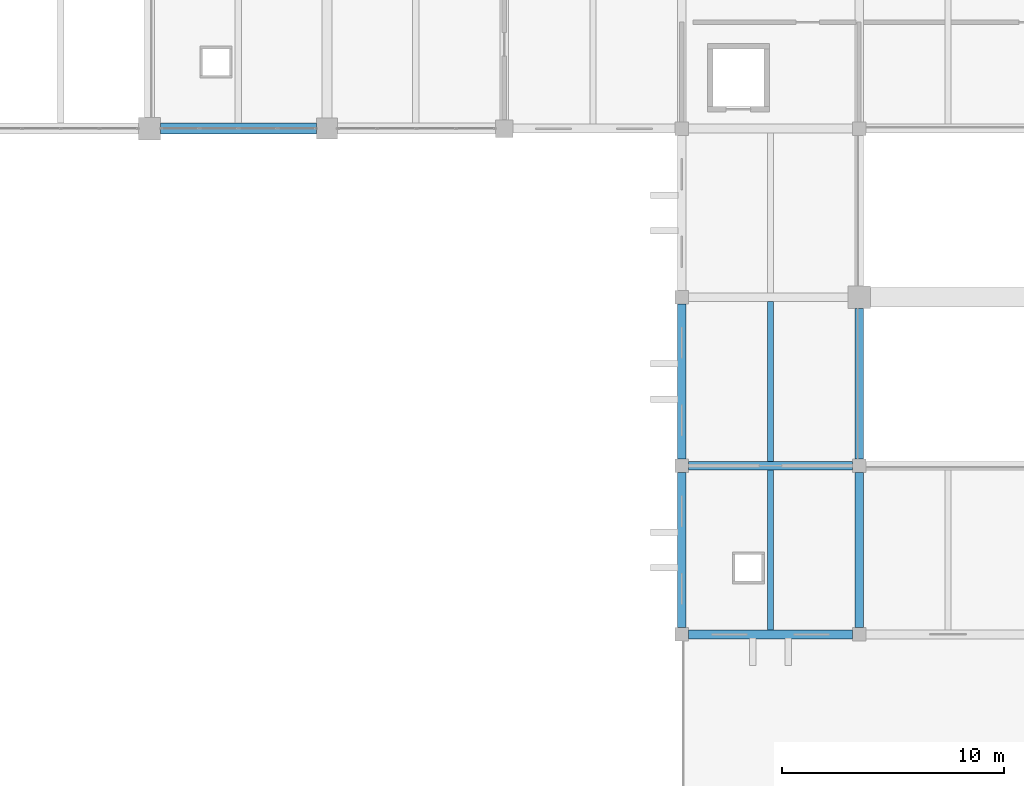
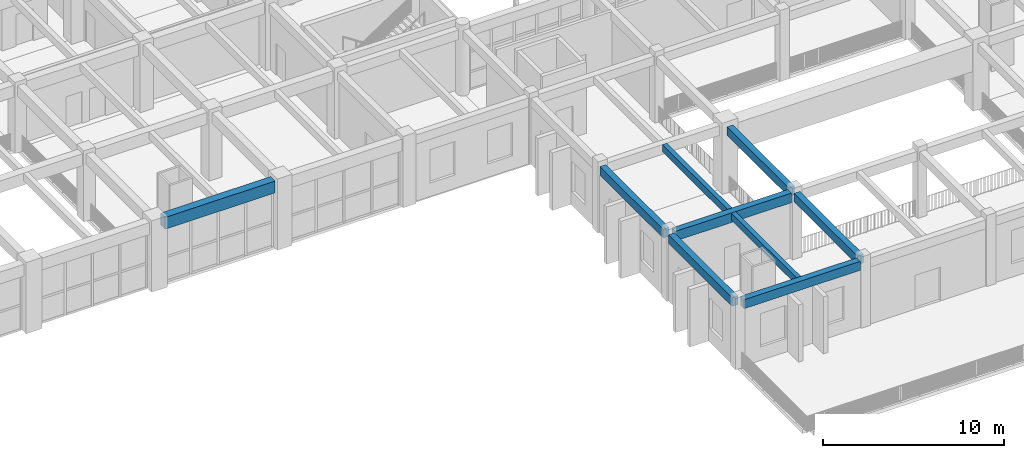
# One storey, part 24 of 101: 9 beams.
"""IFC4 building model written with IfcOpenShell, lengths in metres."""

from ifc_helpers import new_model, si_unit, direction, frame, origin, origin_2d, place, context, subcontext, project, spatial, rectangle, extrude, material, material_profile, profile_set, type_object, element, save


model = new_model("IFC4")

# Units and contexts
model_context = context("Model", 3, precision=1e-05, world=origin(), true_north=direction((0.0, 1.0)))
body_context = subcontext(model_context, "Body", "Model", "MODEL_VIEW")
ifc_project = project(units=[si_unit("LENGTHUNIT", "METRE"), si_unit("AREAUNIT", "SQUARE_METRE"), si_unit("VOLUMEUNIT", "CUBIC_METRE"), si_unit("PLANEANGLEUNIT", "RADIAN"), si_unit("MASSUNIT", "GRAM", prefix="KILO")], contexts=[model_context])

# Site, building, storey
site_placement = place(None, origin())
site = spatial("IfcSite", under=ifc_project, at=site_placement, CompositionType="ELEMENT")
building_placement = place(site_placement, origin())
building = spatial("IfcBuilding", under=site, at=building_placement, Name="Zantavel Square City Hall", CompositionType="ELEMENT")
storey_placement = place(building_placement, frame((0.0, 0.0, 5.39990234375)))
storey = spatial("IfcBuildingStorey", under=building, at=storey_placement, Name="L02", CompositionType="ELEMENT", Elevation=5.39990234375)

# Beams
ifc_material = material(Name="Concrete C35/45", Category="concrete")
ifc_material_profile_1 = material_profile(ifc_material, rectangle(XDim=0.3798828125, YDim=0.580078125, at=origin_2d()), Name="RC 380x580")
ifc_profile_set_1 = profile_set([ifc_material_profile_1], Name="Concrete C35/45")
beam_type_1 = type_object("IfcBeamType", Name="Annex Secondary Beam RC 380x580 C35/45", PredefinedType="BEAM", material=ifc_profile_set_1)
for number, where, z_axis, x_axis, name in (
    (1, (120.0, 7.89990234375, 4.16015625), (0.0, 1.0, 0.0), (-1.0, 0.0, 0.0), "L02 Beam BMY-L02-1200-0076"),
    (2, (120.0, 15.5, 4.16015625), (0.0, 1.0, 0.0), (-1.0, 0.0, 0.0), "L02 Beam BMY-L02-1200-0152"),
    (3, (128.0, 7.89990234375, 4.16015625), (0.0, 1.0, 0.0), (-1.0, 0.0, 0.0), "L02 Beam BMY-L02-1280-0076"),
):
    element("IfcBeam", number, at=place(storey_placement, frame(where, z_axis=z_axis, x_axis=x_axis)), inside=storey, type_object=beam_type_1, Name=name, PredefinedType="BEAM", context=body_context, shape_type="SweptSolid", body=[
        extrude(rectangle(XDim=0.3798828125, YDim=0.580078125, at=origin_2d()), origin(), (0.0, 0.0, 1.0), 7.0),
    ])
beam_1_placement = place(storey_placement, frame((128.0, 15.5, 4.16015625), z_axis=(0.0, 1.0, 0.0), x_axis=(-1.0, 0.0, 0.0)))
element("IfcBeam", 4, at=beam_1_placement, inside=storey, type_object=beam_type_1, Name="L02 Beam BMY-L02-1280-0152", PredefinedType="BEAM", context=body_context, shape_type="SweptSolid", body=[
    extrude(rectangle(XDim=0.3798828125, YDim=0.580078125, at=origin_2d()), origin(), (0.0, 0.0, 1.0), 6.800048828125),
])
ifc_material_profile_2 = material_profile(ifc_material, rectangle(XDim=0.39990234375, YDim=0.64990234375, at=origin_2d()), Name="RC 400x650")
ifc_profile_set_2 = profile_set([ifc_material_profile_2], Name="Concrete C35/45")
beam_type_2 = type_object("IfcBeamType", Name="Frame Beam RC 400x650 C35/45", PredefinedType="BEAM", material=ifc_profile_set_2)
beam_2_placement = place(storey_placement, frame((120.300048828125, 15.199951171875, 4.125), z_axis=(1.0, 0.0, 0.0), x_axis=(0.0, 1.0, 0.0)))
element("IfcBeam", 5, at=beam_2_placement, inside=storey, type_object=beam_type_2, Name="L02 Girder BMX-L02-1200-0152", PredefinedType="BEAM", context=body_context, shape_type="SweptSolid", body=[
    extrude(rectangle(XDim=0.39990234375, YDim=0.64990234375, at=origin_2d()), origin(), (0.0, 0.0, 1.0), 7.39990234375),
])
ifc_material_profile_3 = material_profile(ifc_material, rectangle(XDim=0.39990234375, YDim=0.60009765625, at=origin_2d()), Name="RC 400x600")
ifc_profile_set_3 = profile_set([ifc_material_profile_3], Name="Concrete C35/45")
beam_type_3 = type_object("IfcBeamType", Name="Perimeter Spandrel RC 400x600 C35/45", PredefinedType="SPANDREL", material=ifc_profile_set_3)
beam_3_placement = place(storey_placement, frame((120.300048828125, 7.60009765625, 4.150146484375), z_axis=(1.0, 0.0, 0.0), x_axis=(0.0, 1.0, 0.0)))
element("IfcBeam", 6, at=beam_3_placement, inside=storey, type_object=beam_type_3, Name="L02 Girder BMX-L02-1200-0076", PredefinedType="SPANDREL", context=body_context, shape_type="SweptSolid", body=[
    extrude(rectangle(XDim=0.39990234375, YDim=0.60009765625, at=origin_2d()), origin(), (0.0, 0.0, 1.0), 7.39990234375),
])
ifc_material_profile_4 = material_profile(ifc_material, rectangle(XDim=0.5, YDim=0.800048828125, at=origin_2d()), Name="RC 500x800")
ifc_profile_set_4 = profile_set([ifc_material_profile_4], Name="Concrete C35/45")
beam_type_4 = type_object("IfcBeamType", Name="Primary Girder RC 500x800 C35/45", PredefinedType="BEAM", material=ifc_profile_set_4)
beam_4_placement = place(storey_placement, frame((96.5, 30.39990234375, 4.14013671875), z_axis=(1.0, 0.0, 0.0), x_axis=(0.0, 1.0, 0.0)))
element("IfcBeam", 7, at=beam_4_placement, inside=storey, type_object=beam_type_4, Name="L02 Girder BMX-L02-0960-0304", PredefinedType="BEAM", context=body_context, shape_type="SweptSolid", body=[
    extrude(rectangle(XDim=0.5, YDim=0.800048828125, at=origin_2d()), origin(), (0.0, 0.0, 1.0), 7.02490234375),
])
ifc_material_profile_5 = material_profile(ifc_material, rectangle(XDim=0.280029296875, YDim=0.47998046875, at=origin_2d()), Name="RC 280x480")
ifc_profile_set_5 = profile_set([ifc_material_profile_5], Name="Concrete C35/45")
beam_type_5 = type_object("IfcBeamType", Name="Terrace Deck Joist RC 280x480 C35/45", PredefinedType="JOIST", material=ifc_profile_set_5)
beam_5_placement = place(storey_placement, frame((124.0, 7.800048828125, 4.210205078125), z_axis=(0.0, 1.0, 0.0), x_axis=(-1.0, 0.0, 0.0)))
element("IfcBeam", 8, at=beam_5_placement, inside=storey, type_object=beam_type_5, Name="L02 Floor Joist JST-L02-1240-0076", PredefinedType="JOIST", context=body_context, shape_type="SweptSolid", body=[
    extrude(rectangle(XDim=0.280029296875, YDim=0.47998046875, at=origin_2d()), origin(), (0.0, 0.0, 1.0), 7.199951171875),
])
beam_6_placement = place(storey_placement, frame((124.0, 15.39990234375, 4.210205078125), z_axis=(0.0, 1.0, 0.0), x_axis=(-1.0, 0.0, 0.0)))
element("IfcBeam", 9, at=beam_6_placement, inside=storey, type_object=beam_type_5, Name="L02 Floor Joist JST-L02-1240-0152", PredefinedType="JOIST", context=body_context, shape_type="SweptSolid", body=[
    extrude(rectangle(XDim=0.280029296875, YDim=0.47998046875, at=origin_2d()), origin(), (0.0, 0.0, 1.0), 7.2001953125),
])

save(model, "model.ifc")
